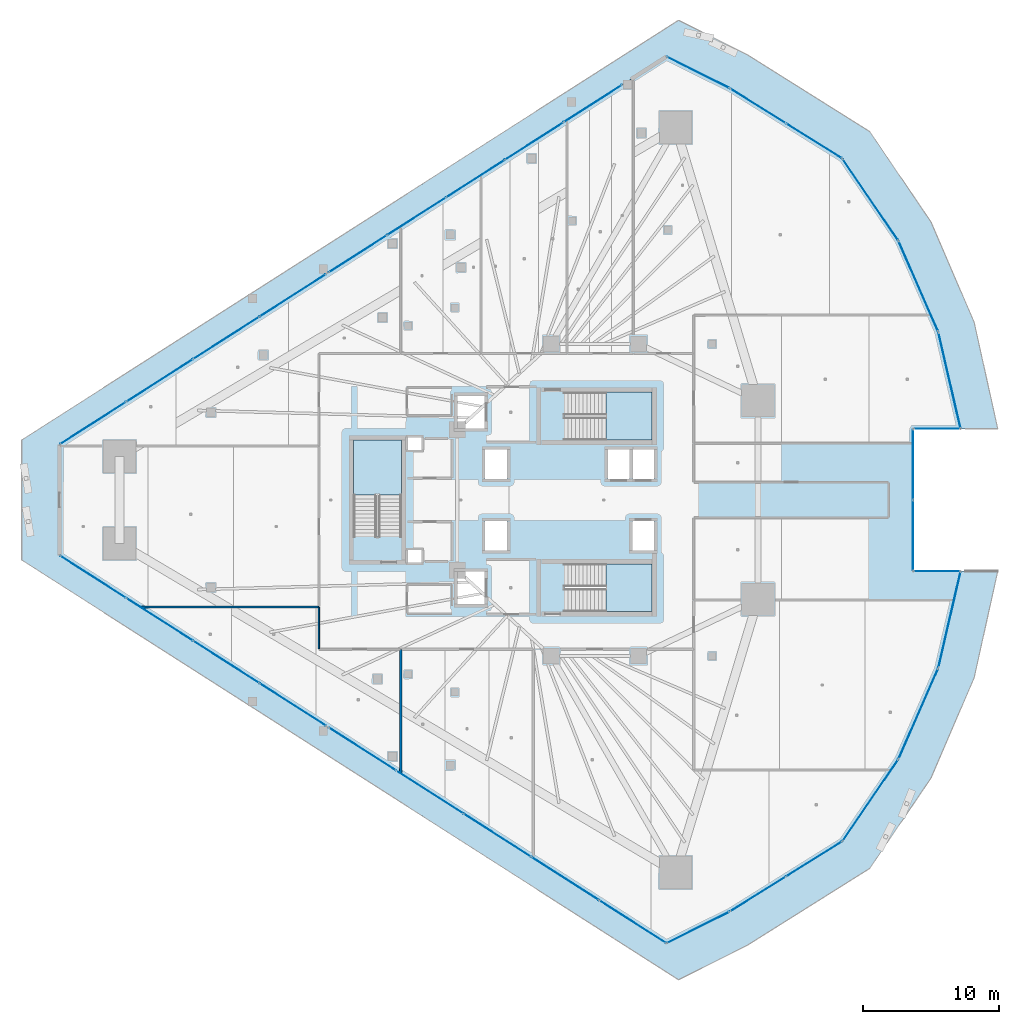
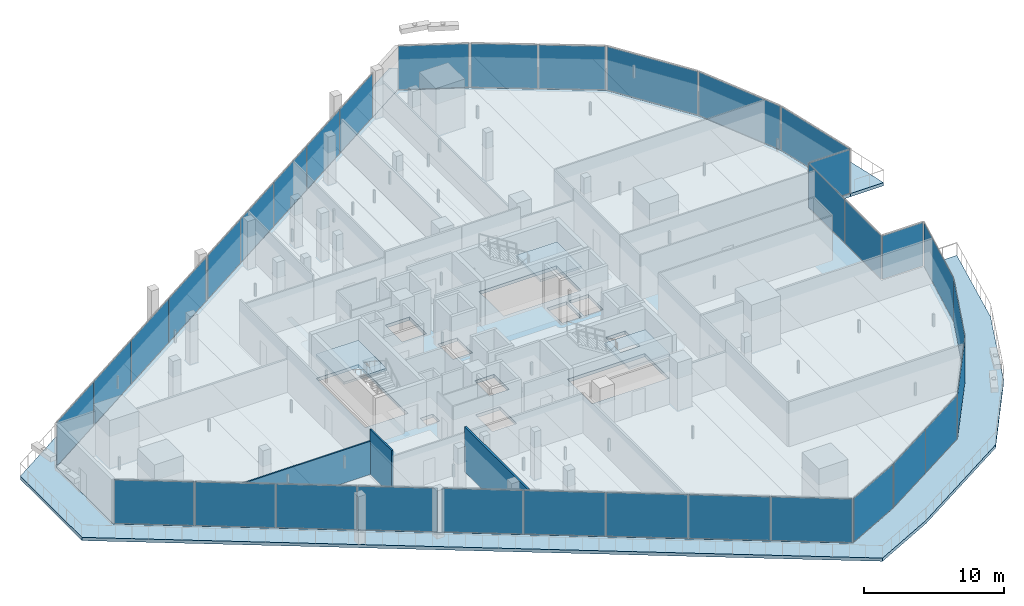
# One storey, part 28 of 45: 34 plates, 5 slabs, 3 walls, 20 elements without a shape of their own.
"""IFC4 building model written with IfcOpenShell, lengths in metres."""

from ifc_helpers import new_model, si_unit, direction, frame, frame_2d, origin, origin_2d, place, context, subcontext, project, spatial, polyline, rectangle, outline, extrude, material, layer, layer_set, type_object, element, aggregate, save


model = new_model("IFC4")

# Units and contexts
model_context = context("Model", 3, precision=1e-05, world=origin(), true_north=direction((0.0, 1.0)))
body_context = subcontext(model_context, "Body", "Model", "MODEL_VIEW")
ifc_project = project(units=[si_unit("LENGTHUNIT", "METRE"), si_unit("AREAUNIT", "SQUARE_METRE"), si_unit("VOLUMEUNIT", "CUBIC_METRE"), si_unit("PLANEANGLEUNIT", "RADIAN"), si_unit("MASSUNIT", "GRAM", prefix="KILO")], contexts=[model_context])

# Site, building, storey
site_placement = place(None, origin())
site = spatial("IfcSite", under=ifc_project, at=site_placement, CompositionType="ELEMENT")
building_placement = place(site_placement, origin())
building = spatial("IfcBuilding", under=site, at=building_placement, Name="Qorvath Tower", CompositionType="ELEMENT")
storey_placement = place(building_placement, frame((0.0, 0.0, 66.0)))
storey = spatial("IfcBuildingStorey", under=building, at=storey_placement, Name="L14", CompositionType="ELEMENT", Elevation=66.0)

# Curtain wall, plates
ifc_material_1 = material(Name="Anodised aluminium and triple low-E glass", Category="aluminium")
ifc_layer_1 = layer(ifc_material_1, 0.179931640625)
ifc_layer_set_1 = layer_set([ifc_layer_1], Name="CW-SYS-2")
curtain_wall_type = type_object("IfcCurtainWallType", Name="CW-SYS-2", PredefinedType="NOTDEFINED", material=ifc_layer_set_1)
curtain_wall_1_placement = place(storey_placement, origin())
curtain_wall_1 = element("IfcCurtainWall", 1, at=curtain_wall_1_placement, inside=storey, type_object=curtain_wall_type, Name="Curtain Wall CW-2 CW-T-L14-2.1", PredefinedType="NOTDEFINED")
ifc_material_2 = material(Name="Low-E triple insulated glass", Category="glass")
ifc_layer_2 = layer(ifc_material_2, 0.031982421875)
ifc_layer_set_2 = layer_set([ifc_layer_2], Name="CWP-GLZ-32")
plate_type = type_object("IfcPlateType", Name="CWP-GLZ-32", PredefinedType="CURTAIN_PANEL", material=ifc_layer_set_2)
plate_1_placement = place(storey_placement, frame((-57.23486328125, -5.640380859375, 0.06494140625), z_axis=(0.0, 0.0, 1.0), x_axis=(0.842605927173, -0.538530641183, 0.0)))
plate_1 = element("IfcPlate", 2, at=plate_1_placement, type_object=plate_type, Name="CW-2 panel 1.1", PredefinedType="CURTAIN_PANEL", context=body_context, shape_type="SweptSolid", body=[
    extrude(rectangle(XDim=5.714111328125, YDim=0.031982421875, at=origin_2d()), origin(), (0.0, 0.0, 1.0), 3.789794921875),
])
plate_2_placement = place(storey_placement, frame((-52.351806640625, -8.761474609375, 0.06494140625), z_axis=(0.0, 0.0, 1.0), x_axis=(0.842605927173, -0.538530641183, 0.0)))
plate_2 = element("IfcPlate", 3, at=plate_2_placement, type_object=plate_type, Name="CW-2 panel 2.1", PredefinedType="CURTAIN_PANEL", context=body_context, shape_type="SweptSolid", body=[
    extrude(rectangle(XDim=5.74658203125, YDim=0.031982421875, at=origin_2d()), origin(), (0.0, 0.0, 1.0), 3.789794921875),
])
plate_3_placement = place(storey_placement, frame((-47.454833984375, -11.89111328125, 0.06494140625), z_axis=(0.0, 0.0, 1.0), x_axis=(0.842605927173, -0.538530641183, 0.0)))
plate_3 = element("IfcPlate", 4, at=plate_3_placement, type_object=plate_type, Name="CW-2 panel 3.1", PredefinedType="CURTAIN_PANEL", context=body_context, shape_type="SweptSolid", body=[
    extrude(rectangle(XDim=5.74658203125, YDim=0.031982421875, at=origin_2d()), origin(), (0.0, 0.0, 1.0), 3.789794921875),
])
plate_4_placement = place(storey_placement, frame((-42.57177734375, -15.01220703125, 0.06494140625), z_axis=(0.0, 0.0, 1.0), x_axis=(0.842605927173, -0.538530641183, 0.0)))
plate_4 = element("IfcPlate", 5, at=plate_4_placement, type_object=plate_type, Name="CW-2 panel 4.1", PredefinedType="CURTAIN_PANEL", context=body_context, shape_type="SweptSolid", body=[
    extrude(rectangle(XDim=5.714111328125, YDim=0.031982421875, at=origin_2d()), origin(), (0.0, 0.0, 1.0), 3.789794921875),
])
aggregate(curtain_wall_1, [plate_1, plate_2, plate_3, plate_4])

curtain_wall_2_placement = place(storey_placement, origin())
curtain_wall_2 = element("IfcCurtainWall", 6, at=curtain_wall_2_placement, inside=storey, type_object=curtain_wall_type, Name="Curtain Wall CW-2 CW-T-L14-2.2", PredefinedType="NOTDEFINED")
plate_5_placement = place(storey_placement, frame((-37.468017578125, -18.274169921875, 0.06494140625), z_axis=(0.0, 0.0, 1.0), x_axis=(0.842601816494, -0.538537072857, 0.0)))
plate_5 = element("IfcPlate", 7, at=plate_5_placement, type_object=plate_type, Name="CW-2 panel 1.1", PredefinedType="CURTAIN_PANEL", context=body_context, shape_type="SweptSolid", body=[
    extrude(rectangle(XDim=5.790771484375, YDim=0.031982421875, at=origin_2d()), origin(), (0.0, 0.0, 1.0), 3.789794921875),
])
plate_6_placement = place(storey_placement, frame((-32.520263671875, -21.4365234375, 0.06494140625), z_axis=(0.0, 0.0, 1.0), x_axis=(0.842601816494, -0.538537072857, 0.0)))
plate_6 = element("IfcPlate", 8, at=plate_6_placement, type_object=plate_type, Name="CW-2 panel 2.1", PredefinedType="CURTAIN_PANEL", context=body_context, shape_type="SweptSolid", body=[
    extrude(rectangle(XDim=5.8232421875, YDim=0.031982421875, at=origin_2d()), origin(), (0.0, 0.0, 1.0), 3.789794921875),
])
plate_7_placement = place(storey_placement, frame((-27.55859375, -24.607666015625, 0.06494140625), z_axis=(0.0, 0.0, 1.0), x_axis=(0.842601816494, -0.538537072857, 0.0)))
plate_7 = element("IfcPlate", 9, at=plate_7_placement, type_object=plate_type, Name="CW-2 panel 3.1", PredefinedType="CURTAIN_PANEL", context=body_context, shape_type="SweptSolid", body=[
    extrude(rectangle(XDim=5.8232421875, YDim=0.031982421875, at=origin_2d()), origin(), (0.0, 0.0, 1.0), 3.789794921875),
])
plate_8_placement = place(storey_placement, frame((-22.59716796875, -27.778564453125, 0.06494140625), z_axis=(0.0, 0.0, 1.0), x_axis=(0.842601816494, -0.538537072857, 0.0)))
plate_8 = element("IfcPlate", 10, at=plate_8_placement, type_object=plate_type, Name="CW-2 panel 4.1", PredefinedType="CURTAIN_PANEL", context=body_context, shape_type="SweptSolid", body=[
    extrude(rectangle(XDim=5.8232421875, YDim=0.031982421875, at=origin_2d()), origin(), (0.0, 0.0, 1.0), 3.789794921875),
])
plate_9_placement = place(storey_placement, frame((-17.6494140625, -30.94091796875, 0.06494140625), z_axis=(0.0, 0.0, 1.0), x_axis=(0.842601816494, -0.538537072857, 0.0)))
plate_9 = element("IfcPlate", 11, at=plate_9_placement, type_object=plate_type, Name="CW-2 panel 5.1", PredefinedType="CURTAIN_PANEL", context=body_context, shape_type="SweptSolid", body=[
    extrude(rectangle(XDim=5.790771484375, YDim=0.031982421875, at=origin_2d()), origin(), (0.0, 0.0, 1.0), 3.789794921875),
])
aggregate(curtain_wall_2, [plate_5, plate_6, plate_7, plate_8, plate_9])

# Curtain wall, plate
curtain_wall_3_placement = place(storey_placement, origin())
curtain_wall_3 = element("IfcCurtainWall", 12, at=curtain_wall_3_placement, inside=storey, type_object=curtain_wall_type, Name="Curtain Wall CW-2 CW-T-L14-3.1", PredefinedType="NOTDEFINED")
plate_10_placement = place(storey_placement, frame((-12.8310546875, -31.373291015625, 0.06494140625), z_axis=(0.0, 0.0, 1.0), x_axis=(0.894423342243, 0.447221292931, 0.0)))
plate_10 = element("IfcPlate", 13, at=plate_10_placement, type_object=plate_type, Name="CW-2 panel 1.1", PredefinedType="CURTAIN_PANEL", context=body_context, shape_type="SweptSolid", body=[
    extrude(rectangle(XDim=5.066650390625, YDim=0.031982421875, at=origin_2d()), origin(), (0.0, 0.0, 1.0), 3.789794921875),
])
aggregate(curtain_wall_3, [plate_10])

# Curtain wall, plates
curtain_wall_4_placement = place(storey_placement, origin())
curtain_wall_4 = element("IfcCurtainWall", 14, at=curtain_wall_4_placement, inside=storey, type_object=curtain_wall_type, Name="Curtain Wall CW-2 CW-T-L14-4.1", PredefinedType="NOTDEFINED")
plate_11_placement = place(storey_placement, frame((-8.42724609375, -28.912353515625, 0.06494140625), z_axis=(0.0, 0.0, 1.0), x_axis=(0.848193720642, 0.529686145055, 0.0)))
plate_11 = element("IfcPlate", 15, at=plate_11_placement, type_object=plate_type, Name="CW-2 panel 1.1", PredefinedType="CURTAIN_PANEL", context=body_context, shape_type="SweptSolid", body=[
    extrude(rectangle(XDim=4.77392578125, YDim=0.031982421875, at=origin_2d()), origin(), (0.0, 0.0, 1.0), 3.789794921875),
])
plate_12_placement = place(storey_placement, frame((-4.322998046875, -26.349365234375, 0.06494140625), z_axis=(0.0, 0.0, 1.0), x_axis=(0.848193720642, 0.529686145055, 0.0)))
plate_12 = element("IfcPlate", 16, at=plate_12_placement, type_object=plate_type, Name="CW-2 panel 2.1", PredefinedType="CURTAIN_PANEL", context=body_context, shape_type="SweptSolid", body=[
    extrude(rectangle(XDim=4.77392578125, YDim=0.031982421875, at=origin_2d()), origin(), (0.0, 0.0, 1.0), 3.789794921875),
])
aggregate(curtain_wall_4, [plate_11, plate_12])

# Curtain wall, plate
curtain_wall_5_placement = place(storey_placement, origin())
curtain_wall_5 = element("IfcCurtainWall", 17, at=curtain_wall_5_placement, inside=storey, type_object=curtain_wall_type, Name="Curtain Wall CW-2 CW-T-L14-5.1", PredefinedType="NOTDEFINED")
plate_13_placement = place(storey_placement, frame((-0.185302734375, -22.037109375, 0.06494140625), z_axis=(0.0, 0.0, 1.0), x_axis=(0.563974408689, 0.825792265854, 0.0)))
plate_13 = element("IfcPlate", 18, at=plate_13_placement, type_object=plate_type, Name="CW-2 panel 1.1", PredefinedType="CURTAIN_PANEL", context=body_context, shape_type="SweptSolid", body=[
    extrude(rectangle(XDim=7.168212890625, YDim=0.031982421875, at=origin_2d()), origin(), (0.0, 0.0, 1.0), 3.789794921875),
])
aggregate(curtain_wall_5, [plate_13])

curtain_wall_6_placement = place(storey_placement, origin())
curtain_wall_6 = element("IfcCurtainWall", 19, at=curtain_wall_6_placement, inside=storey, type_object=curtain_wall_type, Name="Curtain Wall CW-2 CW-T-L14-6.1", PredefinedType="NOTDEFINED")
plate_14_placement = place(storey_placement, frame((3.33740234375, -15.681396484375, 0.06494140625), z_axis=(0.0, 0.0, 1.0), x_axis=(0.401347784416, 0.915925737134, 0.0)))
plate_14 = element("IfcPlate", 20, at=plate_14_placement, type_object=plate_type, Name="CW-2 panel 1.1", PredefinedType="CURTAIN_PANEL", context=body_context, shape_type="SweptSolid", body=[
    extrude(rectangle(XDim=7.16845703125, YDim=0.031982421875, at=origin_2d()), origin(), (0.0, 0.0, 1.0), 3.789794921875),
])
aggregate(curtain_wall_6, [plate_14])

curtain_wall_7_placement = place(storey_placement, origin())
curtain_wall_7 = element("IfcCurtainWall", 21, at=curtain_wall_7_placement, inside=storey, type_object=curtain_wall_type, Name="Curtain Wall CW-2 CW-T-L14-7.1", PredefinedType="NOTDEFINED")
plate_15_placement = place(storey_placement, frame((5.622314453125, -8.783203125, 0.06494140625), z_axis=(0.0, 0.0, 1.0), x_axis=(0.224763439425, 0.974413360078, 0.0)))
plate_15 = element("IfcPlate", 22, at=plate_15_placement, type_object=plate_type, Name="CW-2 panel 1.1", PredefinedType="CURTAIN_PANEL", context=body_context, shape_type="SweptSolid", body=[
    extrude(rectangle(XDim=7.16845703125, YDim=0.031982421875, at=origin_2d()), origin(), (0.0, 0.0, 1.0), 3.789794921875),
])
aggregate(curtain_wall_7, [plate_15])

curtain_wall_8_placement = place(storey_placement, origin())
curtain_wall_8 = element("IfcCurtainWall", 23, at=curtain_wall_8_placement, inside=storey, type_object=curtain_wall_type, Name="Curtain Wall CW-2 CW-T-L14-8.1", PredefinedType="NOTDEFINED")
plate_16_placement = place(storey_placement, frame((4.699951171875, -5.227294921875, 0.06494140625), z_axis=(0.0, 0.0, 1.0), x_axis=(-1.0, 0.0, 0.0)))
plate_16 = element("IfcPlate", 24, at=plate_16_placement, type_object=plate_type, Name="CW-2 panel 1.1", PredefinedType="CURTAIN_PANEL", context=body_context, shape_type="SweptSolid", body=[
    extrude(rectangle(XDim=3.35498046875, YDim=0.031982421875, at=origin_2d()), origin(), (0.0, 0.0, 1.0), 3.789794921875),
])
aggregate(curtain_wall_8, [plate_16])

# Curtain wall, plates
curtain_wall_9_placement = place(storey_placement, origin())
curtain_wall_9 = element("IfcCurtainWall", 25, at=curtain_wall_9_placement, inside=storey, type_object=curtain_wall_type, Name="Curtain Wall CW-2 CW-T-L14-9.1", PredefinedType="NOTDEFINED")
plate_17_placement = place(storey_placement, frame((2.95751953125, -2.597412109375, 0.06494140625), z_axis=(0.0, 0.0, 1.0), x_axis=(0.0, 1.0, 0.0)))
plate_17 = element("IfcPlate", 26, at=plate_17_placement, type_object=plate_type, Name="CW-2 panel 1.1", PredefinedType="CURTAIN_PANEL", context=body_context, shape_type="SweptSolid", body=[
    extrude(rectangle(XDim=5.1298828125, YDim=0.031982421875, at=origin_2d()), origin(), (0.0, 0.0, 1.0), 3.789794921875),
])
plate_18_placement = place(storey_placement, frame((2.95751953125, 2.597412109375, 0.06494140625), z_axis=(0.0, 0.0, 1.0), x_axis=(0.0, 1.0, 0.0)))
plate_18 = element("IfcPlate", 27, at=plate_18_placement, type_object=plate_type, Name="CW-2 panel 2.1", PredefinedType="CURTAIN_PANEL", context=body_context, shape_type="SweptSolid", body=[
    extrude(rectangle(XDim=5.1298828125, YDim=0.031982421875, at=origin_2d()), origin(), (0.0, 0.0, 1.0), 3.789794921875),
])
aggregate(curtain_wall_9, [plate_17, plate_18])

# Curtain wall, plate
curtain_wall_10_placement = place(storey_placement, origin())
curtain_wall_10 = element("IfcCurtainWall", 28, at=curtain_wall_10_placement, inside=storey, type_object=curtain_wall_type, Name="Curtain Wall CW-2 CW-T-L14-10.1", PredefinedType="NOTDEFINED")
plate_19_placement = place(storey_placement, frame((4.699951171875, 5.227294921875, 0.06494140625), z_axis=(0.0, 0.0, 1.0), x_axis=(1.0, 0.0, 0.0)))
plate_19 = element("IfcPlate", 29, at=plate_19_placement, type_object=plate_type, Name="CW-2 panel 1.1", PredefinedType="CURTAIN_PANEL", context=body_context, shape_type="SweptSolid", body=[
    extrude(rectangle(XDim=3.35498046875, YDim=0.031982421875, at=origin_2d()), origin(), (0.0, 0.0, 1.0), 3.789794921875),
])
aggregate(curtain_wall_10, [plate_19])

curtain_wall_11_placement = place(storey_placement, origin())
curtain_wall_11 = element("IfcCurtainWall", 30, at=curtain_wall_11_placement, inside=storey, type_object=curtain_wall_type, Name="Curtain Wall CW-2 CW-T-L14-11.1", PredefinedType="NOTDEFINED")
plate_20_placement = place(storey_placement, frame((5.622314453125, 8.783203125, 0.06494140625), z_axis=(0.0, 0.0, 1.0), x_axis=(-0.224763439425, 0.974413360078, 0.0)))
plate_20 = element("IfcPlate", 31, at=plate_20_placement, type_object=plate_type, Name="CW-2 panel 1.1", PredefinedType="CURTAIN_PANEL", context=body_context, shape_type="SweptSolid", body=[
    extrude(rectangle(XDim=7.16845703125, YDim=0.031982421875, at=origin_2d()), origin(), (0.0, 0.0, 1.0), 3.789794921875),
])
aggregate(curtain_wall_11, [plate_20])

curtain_wall_12_placement = place(storey_placement, origin())
curtain_wall_12 = element("IfcCurtainWall", 32, at=curtain_wall_12_placement, inside=storey, type_object=curtain_wall_type, Name="Curtain Wall CW-2 CW-T-L14-12.1", PredefinedType="NOTDEFINED")
plate_21_placement = place(storey_placement, frame((3.33740234375, 15.681396484375, 0.06494140625), z_axis=(0.0, 0.0, 1.0), x_axis=(-0.401347784416, 0.915925737134, 0.0)))
plate_21 = element("IfcPlate", 33, at=plate_21_placement, type_object=plate_type, Name="CW-2 panel 1.1", PredefinedType="CURTAIN_PANEL", context=body_context, shape_type="SweptSolid", body=[
    extrude(rectangle(XDim=7.16845703125, YDim=0.031982421875, at=origin_2d()), origin(), (0.0, 0.0, 1.0), 3.789794921875),
])
aggregate(curtain_wall_12, [plate_21])

curtain_wall_13_placement = place(storey_placement, origin())
curtain_wall_13 = element("IfcCurtainWall", 34, at=curtain_wall_13_placement, inside=storey, type_object=curtain_wall_type, Name="Curtain Wall CW-2 CW-T-L14-13.1", PredefinedType="NOTDEFINED")
plate_22_placement = place(storey_placement, frame((-0.185302734375, 22.037109375, 0.06494140625), z_axis=(0.0, 0.0, 1.0), x_axis=(-0.563974408689, 0.825792265854, 0.0)))
plate_22 = element("IfcPlate", 35, at=plate_22_placement, type_object=plate_type, Name="CW-2 panel 1.1", PredefinedType="CURTAIN_PANEL", context=body_context, shape_type="SweptSolid", body=[
    extrude(rectangle(XDim=7.168212890625, YDim=0.031982421875, at=origin_2d()), origin(), (0.0, 0.0, 1.0), 3.789794921875),
])
aggregate(curtain_wall_13, [plate_22])

# Curtain wall, plates
curtain_wall_14_placement = place(storey_placement, origin())
curtain_wall_14 = element("IfcCurtainWall", 36, at=curtain_wall_14_placement, inside=storey, type_object=curtain_wall_type, Name="Curtain Wall CW-2 CW-T-L14-14.1", PredefinedType="NOTDEFINED")
plate_23_placement = place(storey_placement, frame((-4.322998046875, 26.349365234375, 0.06494140625), z_axis=(0.0, 0.0, 1.0), x_axis=(-0.848193720642, 0.529686145055, 0.0)))
plate_23 = element("IfcPlate", 37, at=plate_23_placement, type_object=plate_type, Name="CW-2 panel 1.1", PredefinedType="CURTAIN_PANEL", context=body_context, shape_type="SweptSolid", body=[
    extrude(rectangle(XDim=4.77392578125, YDim=0.031982421875, at=origin_2d()), origin(), (0.0, 0.0, 1.0), 3.789794921875),
])
plate_24_placement = place(storey_placement, frame((-8.42724609375, 28.912353515625, 0.06494140625), z_axis=(0.0, 0.0, 1.0), x_axis=(-0.848193720642, 0.529686145055, 0.0)))
plate_24 = element("IfcPlate", 38, at=plate_24_placement, type_object=plate_type, Name="CW-2 panel 2.1", PredefinedType="CURTAIN_PANEL", context=body_context, shape_type="SweptSolid", body=[
    extrude(rectangle(XDim=4.77392578125, YDim=0.031982421875, at=origin_2d()), origin(), (0.0, 0.0, 1.0), 3.789794921875),
])
aggregate(curtain_wall_14, [plate_23, plate_24])

# Curtain wall, plate
curtain_wall_15_placement = place(storey_placement, origin())
curtain_wall_15 = element("IfcCurtainWall", 39, at=curtain_wall_15_placement, inside=storey, type_object=curtain_wall_type, Name="Curtain Wall CW-2 CW-T-L14-15.1", PredefinedType="NOTDEFINED")
plate_25_placement = place(storey_placement, frame((-12.8310546875, 31.373291015625, 0.06494140625), z_axis=(0.0, 0.0, 1.0), x_axis=(-0.894423342243, 0.447221292931, 0.0)))
plate_25 = element("IfcPlate", 40, at=plate_25_placement, type_object=plate_type, Name="CW-2 panel 1.1", PredefinedType="CURTAIN_PANEL", context=body_context, shape_type="SweptSolid", body=[
    extrude(rectangle(XDim=5.066650390625, YDim=0.031982421875, at=origin_2d()), origin(), (0.0, 0.0, 1.0), 3.789794921875),
])
aggregate(curtain_wall_15, [plate_25])

# Curtain wall, plates
curtain_wall_16_placement = place(storey_placement, origin())
curtain_wall_16 = element("IfcCurtainWall", 41, at=curtain_wall_16_placement, inside=storey, type_object=curtain_wall_type, Name="Curtain Wall CW-2 CW-T-L14-16.2", PredefinedType="NOTDEFINED")
plate_26_placement = place(storey_placement, frame((-20.54296875, 29.091796875, 0.06494140625), z_axis=(0.0, 0.0, 1.0), x_axis=(-0.842598525671, -0.538542221685, 0.0)))
plate_26 = element("IfcPlate", 42, at=plate_26_placement, type_object=plate_type, Name="CW-2 panel 1.1", PredefinedType="CURTAIN_PANEL", context=body_context, shape_type="SweptSolid", body=[
    extrude(rectangle(XDim=5.027587890625, YDim=0.031982421875, at=origin_2d()), origin(), (0.0, 0.0, 1.0), 3.789794921875),
])
plate_27_placement = place(storey_placement, frame((-24.847900390625, 26.34033203125, 0.06494140625), z_axis=(0.0, 0.0, 1.0), x_axis=(-0.842598525671, -0.538542221685, 0.0)))
plate_27 = element("IfcPlate", 43, at=plate_27_placement, type_object=plate_type, Name="CW-2 panel 2.1", PredefinedType="CURTAIN_PANEL", context=body_context, shape_type="SweptSolid", body=[
    extrude(rectangle(XDim=5.06005859375, YDim=0.031982421875, at=origin_2d()), origin(), (0.0, 0.0, 1.0), 3.789794921875),
])
plate_28_placement = place(storey_placement, frame((-29.166259765625, 23.580078125, 0.06494140625), z_axis=(0.0, 0.0, 1.0), x_axis=(-0.842598525671, -0.538542221685, 0.0)))
plate_28 = element("IfcPlate", 44, at=plate_28_placement, type_object=plate_type, Name="CW-2 panel 3.1", PredefinedType="CURTAIN_PANEL", context=body_context, shape_type="SweptSolid", body=[
    extrude(rectangle(XDim=5.06005859375, YDim=0.031982421875, at=origin_2d()), origin(), (0.0, 0.0, 1.0), 3.789794921875),
])
plate_29_placement = place(storey_placement, frame((-33.484619140625, 20.820068359375, 0.06494140625), z_axis=(0.0, 0.0, 1.0), x_axis=(-0.842598525671, -0.538542221685, 0.0)))
plate_29 = element("IfcPlate", 45, at=plate_29_placement, type_object=plate_type, Name="CW-2 panel 4.1", PredefinedType="CURTAIN_PANEL", context=body_context, shape_type="SweptSolid", body=[
    extrude(rectangle(XDim=5.06005859375, YDim=0.031982421875, at=origin_2d()), origin(), (0.0, 0.0, 1.0), 3.789794921875),
])
plate_30_placement = place(storey_placement, frame((-37.78955078125, 18.068603515625, 0.06494140625), z_axis=(0.0, 0.0, 1.0), x_axis=(-0.842598525671, -0.538542221685, 0.0)))
plate_30 = element("IfcPlate", 46, at=plate_30_placement, type_object=plate_type, Name="CW-2 panel 5.1", PredefinedType="CURTAIN_PANEL", context=body_context, shape_type="SweptSolid", body=[
    extrude(rectangle(XDim=5.027587890625, YDim=0.031982421875, at=origin_2d()), origin(), (0.0, 0.0, 1.0), 3.789794921875),
])
aggregate(curtain_wall_16, [plate_26, plate_27, plate_28, plate_29, plate_30])

curtain_wall_17_placement = place(storey_placement, origin())
curtain_wall_17 = element("IfcCurtainWall", 47, at=curtain_wall_17_placement, inside=storey, type_object=curtain_wall_type, Name="Curtain Wall CW-2 CW-T-L14-16.3", PredefinedType="NOTDEFINED")
plate_31_placement = place(storey_placement, frame((-42.57177734375, 15.01220703125, 0.06494140625), z_axis=(0.0, 0.0, 1.0), x_axis=(-0.842605927173, -0.538530641183, 0.0)))
plate_31 = element("IfcPlate", 48, at=plate_31_placement, type_object=plate_type, Name="CW-2 panel 1.1", PredefinedType="CURTAIN_PANEL", context=body_context, shape_type="SweptSolid", body=[
    extrude(rectangle(XDim=5.714111328125, YDim=0.031982421875, at=origin_2d()), origin(), (0.0, 0.0, 1.0), 3.789794921875),
])
plate_32_placement = place(storey_placement, frame((-47.454833984375, 11.89111328125, 0.06494140625), z_axis=(0.0, 0.0, 1.0), x_axis=(-0.842605927173, -0.538530641183, 0.0)))
plate_32 = element("IfcPlate", 49, at=plate_32_placement, type_object=plate_type, Name="CW-2 panel 2.1", PredefinedType="CURTAIN_PANEL", context=body_context, shape_type="SweptSolid", body=[
    extrude(rectangle(XDim=5.74658203125, YDim=0.031982421875, at=origin_2d()), origin(), (0.0, 0.0, 1.0), 3.789794921875),
])
plate_33_placement = place(storey_placement, frame((-52.351806640625, 8.761474609375, 0.06494140625), z_axis=(0.0, 0.0, 1.0), x_axis=(-0.842605927173, -0.538530641183, 0.0)))
plate_33 = element("IfcPlate", 50, at=plate_33_placement, type_object=plate_type, Name="CW-2 panel 3.1", PredefinedType="CURTAIN_PANEL", context=body_context, shape_type="SweptSolid", body=[
    extrude(rectangle(XDim=5.74658203125, YDim=0.031982421875, at=origin_2d()), origin(), (0.0, 0.0, 1.0), 3.789794921875),
])
plate_34_placement = place(storey_placement, frame((-57.23486328125, 5.640380859375, 0.06494140625), z_axis=(0.0, 0.0, 1.0), x_axis=(-0.842605927173, -0.538530641183, 0.0)))
plate_34 = element("IfcPlate", 51, at=plate_34_placement, type_object=plate_type, Name="CW-2 panel 4.1", PredefinedType="CURTAIN_PANEL", context=body_context, shape_type="SweptSolid", body=[
    extrude(rectangle(XDim=5.714111328125, YDim=0.031982421875, at=origin_2d()), origin(), (0.0, 0.0, 1.0), 3.789794921875),
])
aggregate(curtain_wall_17, [plate_31, plate_32, plate_33, plate_34])

# Stair, slab
ifc_material_3 = material(Name="Concrete C50/60", Category="concrete")
stair_type = type_object("IfcStairType", Name="ST-H420", PredefinedType="HALF_TURN_STAIR", material=ifc_material_3)
stair_1_placement = place(storey_placement, origin())
stair_1 = element("IfcStair", 52, at=stair_1_placement, inside=storey, type_object=stair_type, Name="L14 Tower Exit Stair 1", PredefinedType="HALF_TURN_STAIR")
ifc_material_4 = material(Name="Concrete C50/60", Category="concrete")
ifc_layer_3 = layer(ifc_material_4, 0.199951171875)
ifc_layer_set_3 = layer_set([ifc_layer_3], Name="SL-LND-200")
slab_type_1 = type_object("IfcSlabType", Name="SL-LND-200", PredefinedType="LANDING", material=ifc_layer_set_3)
slab_1_placement = place(storey_placement, frame((0.0, 0.0, 1.89990234375)))
slab_1 = element("IfcSlab", 53, at=slab_1_placement, type_object=slab_type_1, Name="TS1 landing 1", PredefinedType="LANDING", context=body_context, shape_type="SweptSolid", body=[
    extrude(outline(polyline([(-19.590087890625, 4.39990234375), (-16.199951171875, 4.39990234375), (-16.199951171875, 7.909912109375), (-19.590087890625, 7.909912109375), (-19.590087890625, 4.39990234375)])), origin(), (0.0, 0.0, 1.0), 0.2001953125),
])
aggregate(stair_1, [slab_1])

stair_2_placement = place(storey_placement, origin())
stair_2 = element("IfcStair", 54, at=stair_2_placement, inside=storey, type_object=stair_type, Name="L14 Tower Exit Stair 2", PredefinedType="HALF_TURN_STAIR")
slab_2_placement = place(storey_placement, frame((0.0, 0.0, 1.89990234375)))
slab_2 = element("IfcSlab", 55, at=slab_2_placement, type_object=slab_type_1, Name="TS2 landing 1", PredefinedType="LANDING", context=body_context, shape_type="SweptSolid", body=[
    extrude(outline(polyline([(-19.590087890625, -8.199951171875), (-16.199951171875, -8.199951171875), (-16.199951171875, -4.68994140625), (-19.590087890625, -4.68994140625), (-19.590087890625, -8.199951171875)])), origin(), (0.0, 0.0, 1.0), 0.2001953125),
])
aggregate(stair_2, [slab_2])

stair_3_placement = place(storey_placement, origin())
stair_3 = element("IfcStair", 56, at=stair_3_placement, inside=storey, type_object=stair_type, Name="L14 Tower Exit Stair 3", PredefinedType="HALF_TURN_STAIR")
slab_3_placement = place(storey_placement, frame((0.0, 0.0, 1.89990234375)))
slab_3 = element("IfcSlab", 57, at=slab_3_placement, type_object=slab_type_1, Name="TS3 landing 1", PredefinedType="LANDING", context=body_context, shape_type="SweptSolid", body=[
    extrude(outline(polyline([(-34.60009765625, 0.360107421875), (-34.60009765625, 4.39990234375), (-38.110107421875, 4.39990234375), (-38.110107421875, 0.360107421875), (-34.60009765625, 0.360107421875)])), origin(), (0.0, 0.0, 1.0), 0.2001953125),
])
aggregate(stair_3, [slab_3])

# Slabs
ifc_material_5 = material(Name="Precast concrete C45/55", Category="concrete")
ifc_layer_4 = layer(ifc_material_5, 0.280029296875)
ifc_layer_set_4 = layer_set([ifc_layer_4], Name="SL-LOG-280")
slab_type_2 = type_object("IfcSlabType", Name="SL-LOG-280", PredefinedType="FLOOR", material=ifc_layer_set_4)
slab_4_placement = place(storey_placement, frame((0.0, 0.0, -0.280029296875)))
element("IfcSlab", 58, at=slab_4_placement, inside=storey, type_object=slab_type_2, Name="Tower L14 Perimeter Loggia and Terrace Slab", PredefinedType="FLOOR", context=body_context, shape_type="SweptSolid", body=[
    extrude(outline(polyline([(6.4423828125, -5.227294921875), (4.802001953125, -12.3388671875), (1.872802734375, -19.023681640625), (-2.2431640625, -25.050537109375), (-10.507080078125, -30.211181640625), (-15.155029296875, -32.53515625), (-59.697021484375, -4.06689453125), (-59.697021484375, 4.06689453125), (-15.155029296875, 32.53515625), (-10.507080078125, 30.211181640625), (-2.2431640625, 25.050537109375), (1.872802734375, 19.023681640625), (4.802001953125, 12.3388671875), (6.4423828125, 5.227294921875), (9.158447265625, 5.227294921875), (7.4287109375, 13.04248046875), (4.26318359375, 20.39453125), (-0.22607421875, 27.021728515625), (-9.236572265625, 32.688720703125), (-14.265625, 35.203369140625), (-62.460693359375, 4.400390625), (-62.460693359375, -4.400390625), (-14.265625, -35.203369140625), (-9.236572265625, -32.688720703125), (-0.22607421875, -27.021728515625), (4.26318359375, -20.39453125), (7.4287109375, -13.04248046875), (9.158447265625, -5.227294921875), (6.4423828125, -5.227294921875)])), origin(), (0.0, 0.0, 1.0), 0.280029296875),
])
ifc_material_6 = material(Name="Concrete C45/55", Category="concrete")
ifc_layer_5 = layer(ifc_material_6, 0.280029296875)
ifc_layer_set_5 = layer_set([ifc_layer_5], Name="SL-TYP-280")
slab_type_3 = type_object("IfcSlabType", Name="SL-TYP-280", PredefinedType="FLOOR", material=ifc_layer_set_5)
slab_5_placement = place(storey_placement, frame((0.0, 0.0, -0.280029296875)))
element("IfcSlab", 59, at=slab_5_placement, inside=storey, type_object=slab_type_3, Name="Tower L14 Interior Floor Slab", PredefinedType="FLOOR", context=body_context, shape_type="SweptSolid", body=[
    extrude(outline(polyline([(-59.697021484375, 4.06689453125), (-59.697021484375, -4.06689453125), (-15.155029296875, -32.53515625), (-10.507080078125, -30.211181640625), (-2.2431640625, -25.050537109375), (1.872802734375, -19.023681640625), (4.802001953125, -12.3388671875), (6.4423828125, -5.227294921875), (2.95751953125, -5.227294921875), (2.95751953125, 5.227294921875), (6.4423828125, 5.227294921875), (4.802001953125, 12.3388671875), (1.872802734375, 19.023681640625), (-2.2431640625, 25.050537109375), (-10.507080078125, 30.211181640625), (-15.155029296875, 32.53515625), (-59.697021484375, 4.06689453125)]), holes=[polyline([(-17.64990234375, -3.699951171875), (-17.64990234375, -1.550048828125), (-16.050048828125, -1.550048828125), (-16.050048828125, -3.699951171875), (-17.64990234375, -3.699951171875)]), polyline([(-17.64990234375, 1.550048828125), (-17.64990234375, 3.699951171875), (-16.050048828125, 3.699951171875), (-16.050048828125, 1.550048828125), (-17.64990234375, 1.550048828125)]), polyline([(-16.2451171875, -8.199951171875), (-22.625, -8.199951171875), (-22.625, -4.68994140625), (-16.2451171875, -4.68994140625), (-16.2451171875, -8.199951171875)]), polyline([(-22.625, 4.39990234375), (-22.625, 7.909912109375), (-16.2451171875, 7.909912109375), (-16.2451171875, 4.39990234375), (-22.625, 4.39990234375)]), polyline([(-17.85009765625, 1.550048828125), (-19.449951171875, 1.550048828125), (-19.449951171875, 3.699951171875), (-17.85009765625, 3.699951171875), (-17.85009765625, 1.550048828125)]), polyline([(-28.449951171875, -3.699951171875), (-28.449951171875, -1.550048828125), (-26.85009765625, -1.550048828125), (-26.85009765625, -3.699951171875), (-28.449951171875, -3.699951171875)]), polyline([(-26.85009765625, 1.550048828125), (-28.449951171875, 1.550048828125), (-28.449951171875, 3.699951171875), (-26.85009765625, 3.699951171875), (-26.85009765625, 1.550048828125)]), polyline([(-28.5, -7.64990234375), (-30.5, -7.64990234375), (-30.5, -5.25), (-28.5, -5.25), (-28.5, -7.64990234375)]), polyline([(-30.5, 5.25), (-30.5, 7.64990234375), (-28.5, 7.64990234375), (-28.5, 5.25), (-30.5, 5.25)]), polyline([(-34.14990234375, -4.6201171875), (-34.14990234375, -3.64990234375), (-33.10009765625, -3.64990234375), (-33.10009765625, -4.6201171875), (-34.14990234375, -4.6201171875)]), polyline([(-34.14990234375, 3.64990234375), (-34.14990234375, 4.6201171875), (-33.10009765625, 4.6201171875), (-33.10009765625, 3.64990234375), (-34.14990234375, 3.64990234375)]), polyline([(-34.60009765625, -2.675048828125), (-38.110107421875, -2.675048828125), (-38.110107421875, 4.35498046875), (-34.60009765625, 4.35498046875), (-34.60009765625, -2.675048828125)])]), origin(), (0.0, 0.0, 1.0), 0.280029296875),
])

# Walls
ifc_material_7 = material(Name="Double acoustic gypsum board on steel studs", Category="steel")
ifc_layer_6 = layer(ifc_material_7, 0.159912109375)
ifc_layer_set_6 = layer_set([ifc_layer_6], Name="IW-ACOUSTIC-160")
wall_type_1 = type_object("IfcWallType", Name="IW-ACOUSTIC-160", PredefinedType="PARTITIONING", material=ifc_layer_set_6)
wall_1_placement = place(storey_placement, frame((-34.64990234375, -10.98291015625, 0.0), z_axis=(0.0, 0.0, 1.0), x_axis=(0.0, -1.0, 0.0)))
element("IfcWall", 60, at=wall_1_placement, inside=storey, type_object=wall_type_1, Name="Interior Partition IW-T1-L14-030", PredefinedType="PARTITIONING", context=body_context, shape_type="SweptSolid", body=[
    extrude(rectangle(XDim=9.012451171875, YDim=0.159912109375, at=frame_2d((4.50634765625, 0.0))), origin(), (0.0, 0.0, 1.0), 3.919921875),
])
ifc_material_8 = material(Name="Gypsum board on metal studs with mineral wool", Category="gypsum")
ifc_layer_7 = layer(ifc_material_8, 0.125)
ifc_layer_set_7 = layer_set([ifc_layer_7], Name="IW-PART-125")
wall_type_2 = type_object("IfcWallType", Name="IW-PART-125", PredefinedType="PARTITIONING", material=ifc_layer_set_7)
wall_2_placement = place(storey_placement, frame((-40.657958984375, -10.93310546875, 0.0), z_axis=(0.0, 0.0, 1.0), x_axis=(0.0, 1.0, 0.0)))
element("IfcWall", 61, at=wall_2_placement, inside=storey, type_object=wall_type_2, Name="Interior Partition IW-T1-L14-047", PredefinedType="PARTITIONING", context=body_context, shape_type="SweptSolid", body=[
    extrude(rectangle(XDim=3.051025390625, YDim=0.125, at=frame_2d((1.525390625, 0.0))), origin(), (0.0, 0.0, 1.0), 3.919921875),
])
wall_3_placement = place(storey_placement, frame((-40.68310546875, -7.857177734375, 0.0), z_axis=(0.0, 0.0, 1.0), x_axis=(-1.0, 0.0, 0.0)))
element("IfcWall", 62, at=wall_3_placement, inside=storey, type_object=wall_type_2, Name="Interior Partition IW-T1-L14-048", PredefinedType="PARTITIONING", context=body_context, shape_type="SweptSolid", body=[
    extrude(rectangle(XDim=13.00341796875, YDim=0.125, at=frame_2d((6.501708984375, 0.0))), origin(), (0.0, 0.0, 1.0), 2.889892578125),
])

save(model, "model.ifc")
